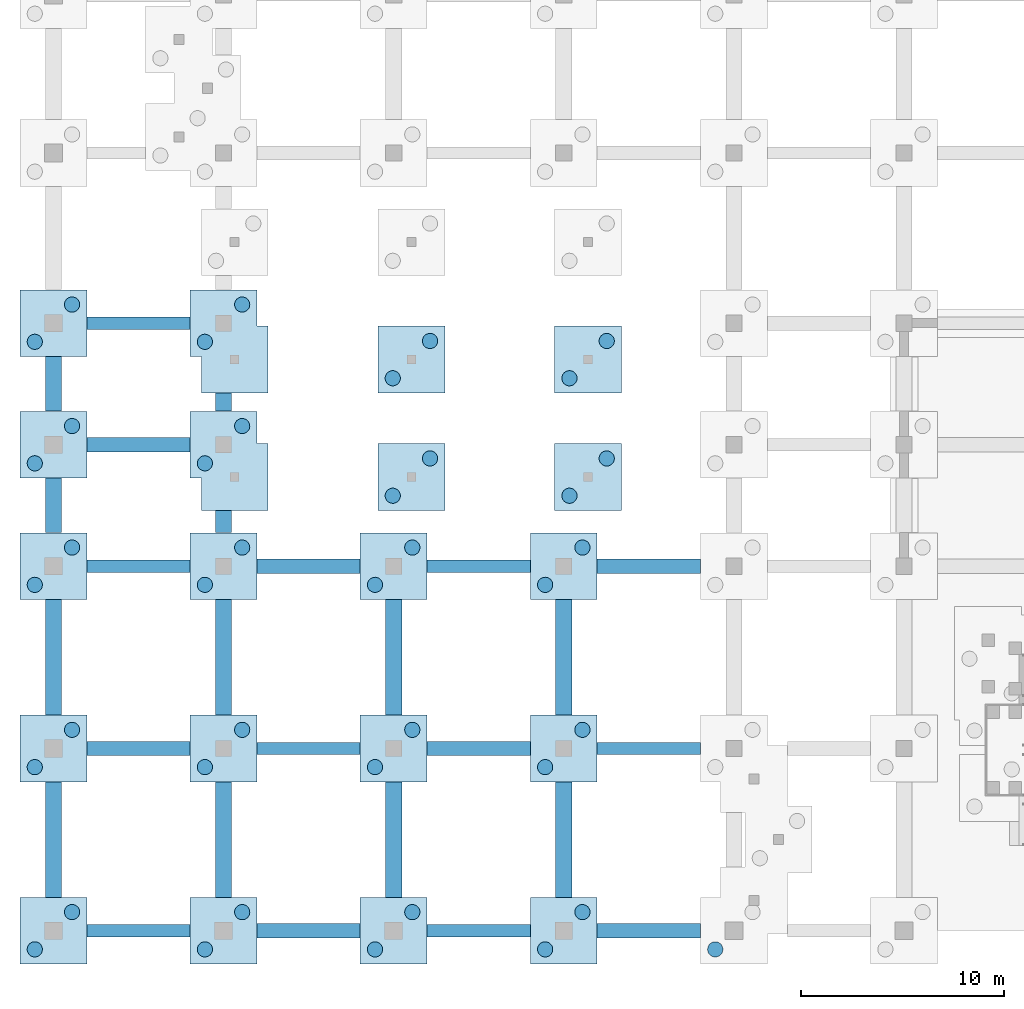
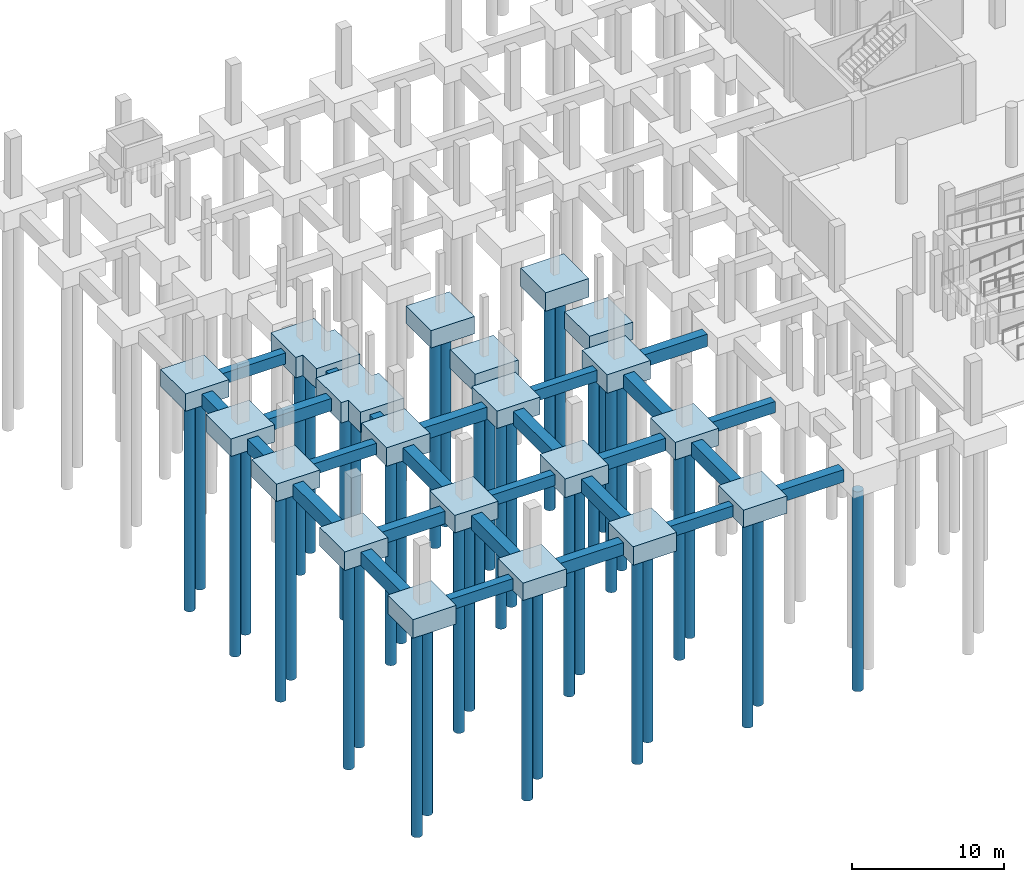
# One storey, part 1 of 42: 46 footings, 41 piles.
"""IFC4 building model written with IfcOpenShell, lengths in metres."""

from ifc_helpers import new_model, si_unit, direction, frame, origin, origin_2d, place, context, subcontext, project, spatial, polyline, rectangle, circle, outline, extrude, material, layer, layer_set, material_profile, profile_set, type_object, element, save


model = new_model("IFC4")

# Units and contexts
model_context = context("Model", 3, precision=1e-05, world=origin(), true_north=direction((0.0, 1.0)))
body_context = subcontext(model_context, "Body", "Model", "MODEL_VIEW")
ifc_project = project(units=[si_unit("LENGTHUNIT", "METRE"), si_unit("AREAUNIT", "SQUARE_METRE"), si_unit("VOLUMEUNIT", "CUBIC_METRE"), si_unit("PLANEANGLEUNIT", "RADIAN"), si_unit("MASSUNIT", "GRAM", prefix="KILO")], contexts=[model_context])

# Site, building, storey
site_placement = place(None, origin())
site = spatial("IfcSite", under=ifc_project, at=site_placement, CompositionType="ELEMENT")
building_placement = place(site_placement, origin())
building = spatial("IfcBuilding", under=site, at=building_placement, Name="Pellamere Symphony Hall", CompositionType="ELEMENT")
storey_placement = place(building_placement, frame((0.0, 0.0, -4.800048828125)))
storey = spatial("IfcBuildingStorey", under=building, at=storey_placement, Name="B1", CompositionType="ELEMENT", Elevation=-4.800048828125)

# Piles
ifc_material_1 = material(Name="Concrete 35 MPa", Category="concrete")
ifc_material_profile_1 = material_profile(ifc_material_1, circle(Radius=0.375, at=origin_2d()), Name="PILE D750")
ifc_profile_set_1 = profile_set([ifc_material_profile_1], Name="Concrete 35 MPa")
pile_type = type_object("IfcPileType", Name="Bored Pile 750mm Concrete 35 MPa", PredefinedType="BORED", material=ifc_profile_set_1)
for number, where, z_axis, x_axis, name in (
    (1, (-0.919921875, -0.919921875, -1.39990234375), (0.0, 0.0, -1.0), (1.0, 0.0, 0.0), "Bored Pile BP-750-P001"),
    (2, (0.919921875, 0.919921875, -1.39990234375), (0.0, 0.0, -1.0), (1.0, 0.0, 0.0), "Bored Pile BP-750-P002"),
):
    element("IfcPile", number, at=place(storey_placement, frame(where, z_axis=z_axis, x_axis=x_axis)), inside=storey, type_object=pile_type, Name=name, PredefinedType="BORED", context=body_context, shape_type="SweptSolid", body=[
        extrude(circle(Radius=0.375, at=origin_2d()), origin(), (0.0, 0.0, 1.0), 16.60009765625),
    ])
for number, where, z_axis, x_axis, name in (
    (3, (7.47998046875, -0.919921875, -1.300048828125), (0.0, 0.0, -1.0), (1.0, 0.0, 0.0), "Bored Pile BP-750-P003"),
    (4, (9.320068359375, 0.919921875, -1.300048828125), (0.0, 0.0, -1.0), (1.0, 0.0, 0.0), "Bored Pile BP-750-P004"),
):
    element("IfcPile", number, at=place(storey_placement, frame(where, z_axis=z_axis, x_axis=x_axis)), inside=storey, type_object=pile_type, Name=name, PredefinedType="BORED", context=body_context, shape_type="SweptSolid", body=[
        extrude(circle(Radius=0.375, at=origin_2d()), origin(), (0.0, 0.0, 1.0), 16.699951171875),
    ])
for number, where, z_axis, x_axis, name in (
    (5, (15.8798828125, -0.919921875, -1.39990234375), (0.0, 0.0, -1.0), (1.0, 0.0, 0.0), "Bored Pile BP-750-P005"),
    (6, (17.719970703125, 0.919921875, -1.39990234375), (0.0, 0.0, -1.0), (1.0, 0.0, 0.0), "Bored Pile BP-750-P006"),
):
    element("IfcPile", number, at=place(storey_placement, frame(where, z_axis=z_axis, x_axis=x_axis)), inside=storey, type_object=pile_type, Name=name, PredefinedType="BORED", context=body_context, shape_type="SweptSolid", body=[
        extrude(circle(Radius=0.375, at=origin_2d()), origin(), (0.0, 0.0, 1.0), 16.60009765625),
    ])
for number, where, z_axis, x_axis, name in (
    (7, (24.280029296875, -0.919921875, -1.300048828125), (0.0, 0.0, -1.0), (1.0, 0.0, 0.0), "Bored Pile BP-750-P007"),
    (8, (26.1201171875, 0.919921875, -1.300048828125), (0.0, 0.0, -1.0), (1.0, 0.0, 0.0), "Bored Pile BP-750-P008"),
):
    element("IfcPile", number, at=place(storey_placement, frame(where, z_axis=z_axis, x_axis=x_axis)), inside=storey, type_object=pile_type, Name=name, PredefinedType="BORED", context=body_context, shape_type="SweptSolid", body=[
        extrude(circle(Radius=0.375, at=origin_2d()), origin(), (0.0, 0.0, 1.0), 16.699951171875),
    ])
pile_placement = place(storey_placement, frame((32.679931640625, -0.919921875, -1.89990234375), z_axis=(0.0, 0.0, -1.0), x_axis=(1.0, 0.0, 0.0)))
element("IfcPile", 9, at=pile_placement, inside=storey, type_object=pile_type, Name="Bored Pile BP-750-P009", PredefinedType="BORED", context=body_context, shape_type="SweptSolid", body=[
    extrude(circle(Radius=0.375, at=origin_2d()), origin(), (0.0, 0.0, 1.0), 16.10009765625),
])
for number, where, z_axis, x_axis, name in (
    (10, (-0.919921875, 8.080078125, -1.39990234375), (0.0, 0.0, -1.0), (1.0, 0.0, 0.0), "Bored Pile BP-750-P029"),
    (11, (0.919921875, 9.919921875, -1.39990234375), (0.0, 0.0, -1.0), (1.0, 0.0, 0.0), "Bored Pile BP-750-P030"),
):
    element("IfcPile", number, at=place(storey_placement, frame(where, z_axis=z_axis, x_axis=x_axis)), inside=storey, type_object=pile_type, Name=name, PredefinedType="BORED", context=body_context, shape_type="SweptSolid", body=[
        extrude(circle(Radius=0.375, at=origin_2d()), origin(), (0.0, 0.0, 1.0), 16.60009765625),
    ])
for number, where, z_axis, x_axis, name in (
    (12, (7.47998046875, 8.080078125, -1.300048828125), (0.0, 0.0, -1.0), (1.0, 0.0, 0.0), "Bored Pile BP-750-P031"),
    (13, (9.320068359375, 9.919921875, -1.300048828125), (0.0, 0.0, -1.0), (1.0, 0.0, 0.0), "Bored Pile BP-750-P032"),
):
    element("IfcPile", number, at=place(storey_placement, frame(where, z_axis=z_axis, x_axis=x_axis)), inside=storey, type_object=pile_type, Name=name, PredefinedType="BORED", context=body_context, shape_type="SweptSolid", body=[
        extrude(circle(Radius=0.375, at=origin_2d()), origin(), (0.0, 0.0, 1.0), 16.699951171875),
    ])
for number, where, z_axis, x_axis, name in (
    (14, (15.8798828125, 8.080078125, -1.39990234375), (0.0, 0.0, -1.0), (1.0, 0.0, 0.0), "Bored Pile BP-750-P033"),
    (15, (17.719970703125, 9.919921875, -1.39990234375), (0.0, 0.0, -1.0), (1.0, 0.0, 0.0), "Bored Pile BP-750-P034"),
):
    element("IfcPile", number, at=place(storey_placement, frame(where, z_axis=z_axis, x_axis=x_axis)), inside=storey, type_object=pile_type, Name=name, PredefinedType="BORED", context=body_context, shape_type="SweptSolid", body=[
        extrude(circle(Radius=0.375, at=origin_2d()), origin(), (0.0, 0.0, 1.0), 16.60009765625),
    ])
for number, where, z_axis, x_axis, name in (
    (16, (24.280029296875, 8.080078125, -1.300048828125), (0.0, 0.0, -1.0), (1.0, 0.0, 0.0), "Bored Pile BP-750-P035"),
    (17, (26.1201171875, 9.919921875, -1.300048828125), (0.0, 0.0, -1.0), (1.0, 0.0, 0.0), "Bored Pile BP-750-P036"),
    (18, (-0.919921875, 17.080078125, -1.300048828125), (0.0, 0.0, -1.0), (1.0, 0.0, 0.0), "Bored Pile BP-750-P051"),
    (19, (0.919921875, 18.919921875, -1.300048828125), (0.0, 0.0, -1.0), (1.0, 0.0, 0.0), "Bored Pile BP-750-P052"),
):
    element("IfcPile", number, at=place(storey_placement, frame(where, z_axis=z_axis, x_axis=x_axis)), inside=storey, type_object=pile_type, Name=name, PredefinedType="BORED", context=body_context, shape_type="SweptSolid", body=[
        extrude(circle(Radius=0.375, at=origin_2d()), origin(), (0.0, 0.0, 1.0), 16.699951171875),
    ])
for number, where, z_axis, x_axis, name in (
    (20, (7.47998046875, 17.080078125, -1.39990234375), (0.0, 0.0, -1.0), (1.0, 0.0, 0.0), "Bored Pile BP-750-P053"),
    (21, (9.320068359375, 18.919921875, -1.39990234375), (0.0, 0.0, -1.0), (1.0, 0.0, 0.0), "Bored Pile BP-750-P054"),
):
    element("IfcPile", number, at=place(storey_placement, frame(where, z_axis=z_axis, x_axis=x_axis)), inside=storey, type_object=pile_type, Name=name, PredefinedType="BORED", context=body_context, shape_type="SweptSolid", body=[
        extrude(circle(Radius=0.375, at=origin_2d()), origin(), (0.0, 0.0, 1.0), 16.60009765625),
    ])
for number, where, z_axis, x_axis, name in (
    (22, (15.8798828125, 17.080078125, -1.300048828125), (0.0, 0.0, -1.0), (1.0, 0.0, 0.0), "Bored Pile BP-750-P055"),
    (23, (17.719970703125, 18.919921875, -1.300048828125), (0.0, 0.0, -1.0), (1.0, 0.0, 0.0), "Bored Pile BP-750-P056"),
):
    element("IfcPile", number, at=place(storey_placement, frame(where, z_axis=z_axis, x_axis=x_axis)), inside=storey, type_object=pile_type, Name=name, PredefinedType="BORED", context=body_context, shape_type="SweptSolid", body=[
        extrude(circle(Radius=0.375, at=origin_2d()), origin(), (0.0, 0.0, 1.0), 16.699951171875),
    ])
for number, where, z_axis, x_axis, name in (
    (24, (24.280029296875, 17.080078125, -1.39990234375), (0.0, 0.0, -1.0), (1.0, 0.0, 0.0), "Bored Pile BP-750-P057"),
    (25, (26.1201171875, 18.919921875, -1.39990234375), (0.0, 0.0, -1.0), (1.0, 0.0, 0.0), "Bored Pile BP-750-P058"),
):
    element("IfcPile", number, at=place(storey_placement, frame(where, z_axis=z_axis, x_axis=x_axis)), inside=storey, type_object=pile_type, Name=name, PredefinedType="BORED", context=body_context, shape_type="SweptSolid", body=[
        extrude(circle(Radius=0.375, at=origin_2d()), origin(), (0.0, 0.0, 1.0), 16.60009765625),
    ])
for number, where, z_axis, x_axis, name in (
    (26, (7.47998046875, 23.080078125, -1.550048828125), (0.0, 0.0, -1.0), (1.0, 0.0, 0.0), "Bored Pile BP-750-P098"),
    (27, (9.320068359375, 24.919921875, -1.550048828125), (0.0, 0.0, -1.0), (1.0, 0.0, 0.0), "Bored Pile BP-750-P099"),
):
    element("IfcPile", number, at=place(storey_placement, frame(where, z_axis=z_axis, x_axis=x_axis)), inside=storey, type_object=pile_type, Name=name, PredefinedType="BORED", context=body_context, shape_type="SweptSolid", body=[
        extrude(circle(Radius=0.375, at=origin_2d()), origin(), (0.0, 0.0, 1.0), 16.449951171875),
    ])
for number, where, z_axis, x_axis, name in (
    (28, (16.7548828125, 21.47998046875, -1.39990234375), (0.0, 0.0, -1.0), (1.0, 0.0, 0.0), "Bored Pile BP-750-P100"),
    (29, (18.594970703125, 23.320068359375, -1.39990234375), (0.0, 0.0, -1.0), (1.0, 0.0, 0.0), "Bored Pile BP-750-P101"),
):
    element("IfcPile", number, at=place(storey_placement, frame(where, z_axis=z_axis, x_axis=x_axis)), inside=storey, type_object=pile_type, Name=name, PredefinedType="BORED", context=body_context, shape_type="SweptSolid", body=[
        extrude(circle(Radius=0.375, at=origin_2d()), origin(), (0.0, 0.0, 1.0), 16.60009765625),
    ])
for number, where, z_axis, x_axis, name in (
    (30, (25.47998046875, 21.47998046875, -1.300048828125), (0.0, 0.0, -1.0), (1.0, 0.0, 0.0), "Bored Pile BP-750-P102"),
    (31, (27.320068359375, 23.320068359375, -1.300048828125), (0.0, 0.0, -1.0), (1.0, 0.0, 0.0), "Bored Pile BP-750-P103"),
    (32, (-0.919921875, 23.080078125, -1.300048828125), (0.0, 0.0, -1.0), (1.0, 0.0, 0.0), "Bored Pile BP-750-P109"),
    (33, (0.919921875, 24.919921875, -1.300048828125), (0.0, 0.0, -1.0), (1.0, 0.0, 0.0), "Bored Pile BP-750-P110"),
):
    element("IfcPile", number, at=place(storey_placement, frame(where, z_axis=z_axis, x_axis=x_axis)), inside=storey, type_object=pile_type, Name=name, PredefinedType="BORED", context=body_context, shape_type="SweptSolid", body=[
        extrude(circle(Radius=0.375, at=origin_2d()), origin(), (0.0, 0.0, 1.0), 16.699951171875),
    ])
for number, where, z_axis, x_axis, name in (
    (34, (7.47998046875, 29.080078125, -1.550048828125), (0.0, 0.0, -1.0), (1.0, 0.0, 0.0), "Bored Pile BP-750-P147"),
    (35, (9.320068359375, 30.919921875, -1.550048828125), (0.0, 0.0, -1.0), (1.0, 0.0, 0.0), "Bored Pile BP-750-P148"),
):
    element("IfcPile", number, at=place(storey_placement, frame(where, z_axis=z_axis, x_axis=x_axis)), inside=storey, type_object=pile_type, Name=name, PredefinedType="BORED", context=body_context, shape_type="SweptSolid", body=[
        extrude(circle(Radius=0.375, at=origin_2d()), origin(), (0.0, 0.0, 1.0), 16.449951171875),
    ])
for number, where, z_axis, x_axis, name in (
    (36, (16.7548828125, 27.280029296875, -1.300048828125), (0.0, 0.0, -1.0), (1.0, 0.0, 0.0), "Bored Pile BP-750-P149"),
    (37, (18.594970703125, 29.1201171875, -1.300048828125), (0.0, 0.0, -1.0), (1.0, 0.0, 0.0), "Bored Pile BP-750-P150"),
):
    element("IfcPile", number, at=place(storey_placement, frame(where, z_axis=z_axis, x_axis=x_axis)), inside=storey, type_object=pile_type, Name=name, PredefinedType="BORED", context=body_context, shape_type="SweptSolid", body=[
        extrude(circle(Radius=0.375, at=origin_2d()), origin(), (0.0, 0.0, 1.0), 16.699951171875),
    ])
for number, where, z_axis, x_axis, name in (
    (38, (25.47998046875, 27.280029296875, -1.39990234375), (0.0, 0.0, -1.0), (1.0, 0.0, 0.0), "Bored Pile BP-750-P151"),
    (39, (27.320068359375, 29.1201171875, -1.39990234375), (0.0, 0.0, -1.0), (1.0, 0.0, 0.0), "Bored Pile BP-750-P152"),
):
    element("IfcPile", number, at=place(storey_placement, frame(where, z_axis=z_axis, x_axis=x_axis)), inside=storey, type_object=pile_type, Name=name, PredefinedType="BORED", context=body_context, shape_type="SweptSolid", body=[
        extrude(circle(Radius=0.375, at=origin_2d()), origin(), (0.0, 0.0, 1.0), 16.60009765625),
    ])
for number, where, z_axis, x_axis, name in (
    (40, (-0.919921875, 29.080078125, -1.300048828125), (0.0, 0.0, -1.0), (1.0, 0.0, 0.0), "Bored Pile BP-750-P153"),
    (41, (0.919921875, 30.919921875, -1.300048828125), (0.0, 0.0, -1.0), (1.0, 0.0, 0.0), "Bored Pile BP-750-P154"),
):
    element("IfcPile", number, at=place(storey_placement, frame(where, z_axis=z_axis, x_axis=x_axis)), inside=storey, type_object=pile_type, Name=name, PredefinedType="BORED", context=body_context, shape_type="SweptSolid", body=[
        extrude(circle(Radius=0.375, at=origin_2d()), origin(), (0.0, 0.0, 1.0), 16.699951171875),
    ])

# Footings
ifc_material_2 = material(Name="Concrete 40 MPa", Category="concrete")
ifc_material_profile_2 = material_profile(ifc_material_2, rectangle(XDim=0.60009765625, YDim=0.89990234375, at=origin_2d()), Name="RC 600x900")
ifc_profile_set_2 = profile_set([ifc_material_profile_2], Name="Concrete 40 MPa")
footing_type_1 = type_object("IfcFootingType", Name="Foundation FB-01 600x900", PredefinedType="FOOTING_BEAM", material=ifc_profile_set_2)
footing_1_placement = place(storey_placement, frame((1.652099609375, 0.0, -0.89990234375), z_axis=(1.0, 0.0, 0.0), x_axis=(0.0, 1.0, 0.0)))
element("IfcFooting", 42, at=footing_1_placement, inside=storey, type_object=footing_type_1, Name="Foundation Beam FB-01-056", PredefinedType="FOOTING_BEAM", context=body_context, shape_type="SweptSolid", body=[
    extrude(rectangle(XDim=0.60009765625, YDim=0.89990234375, at=origin_2d()), origin(), (0.0, 0.0, 1.0), 5.095947265625),
])
footing_2_placement = place(storey_placement, frame((18.451904296875, 0.0, -0.89990234375), z_axis=(1.0, 0.0, 0.0), x_axis=(0.0, 1.0, 0.0)))
element("IfcFooting", 43, at=footing_2_placement, inside=storey, type_object=footing_type_1, Name="Foundation Beam FB-01-058", PredefinedType="FOOTING_BEAM", context=body_context, shape_type="SweptSolid", body=[
    extrude(rectangle(XDim=0.60009765625, YDim=0.89990234375, at=origin_2d()), origin(), (0.0, 0.0, 1.0), 5.09619140625),
])
for number, where, z_axis, x_axis, name in (
    (44, (10.052001953125, 9.0, -0.89990234375), (1.0, 0.0, 0.0), (0.0, 1.0, 0.0), "Foundation Beam FB-01-062"),
    (45, (26.85205078125, 9.0, -0.89990234375), (1.0, 0.0, 0.0), (0.0, 1.0, 0.0), "Foundation Beam FB-01-064"),
    (46, (1.652099609375, 18.0, -0.89990234375), (1.0, 0.0, 0.0), (0.0, 1.0, 0.0), "Foundation Beam FB-01-066"),
):
    element("IfcFooting", number, at=place(storey_placement, frame(where, z_axis=z_axis, x_axis=x_axis)), inside=storey, type_object=footing_type_1, Name=name, PredefinedType="FOOTING_BEAM", context=body_context, shape_type="SweptSolid", body=[
        extrude(rectangle(XDim=0.60009765625, YDim=0.89990234375, at=origin_2d()), origin(), (0.0, 0.0, 1.0), 5.095947265625),
    ])
footing_3_placement = place(storey_placement, frame((18.451904296875, 18.0, -0.89990234375), z_axis=(1.0, 0.0, 0.0), x_axis=(0.0, 1.0, 0.0)))
element("IfcFooting", 47, at=footing_3_placement, inside=storey, type_object=footing_type_1, Name="Foundation Beam FB-01-068", PredefinedType="FOOTING_BEAM", context=body_context, shape_type="SweptSolid", body=[
    extrude(rectangle(XDim=0.60009765625, YDim=0.89990234375, at=origin_2d()), origin(), (0.0, 0.0, 1.0), 5.09619140625),
])
footing_4_placement = place(storey_placement, frame((1.652099609375, 30.0, -0.89990234375), z_axis=(1.0, 0.0, 0.0), x_axis=(0.0, 1.0, 0.0)))
element("IfcFooting", 48, at=footing_4_placement, inside=storey, type_object=footing_type_1, Name="Foundation Beam FB-01-104", PredefinedType="FOOTING_BEAM", context=body_context, shape_type="SweptSolid", body=[
    extrude(rectangle(XDim=0.60009765625, YDim=0.89990234375, at=origin_2d()), origin(), (0.0, 0.0, 1.0), 5.095947265625),
])
ifc_material_profile_3 = material_profile(ifc_material_2, rectangle(XDim=0.699951171875, YDim=1.0, at=origin_2d()), Name="RC 700x1000")
ifc_profile_set_3 = profile_set([ifc_material_profile_3], Name="Concrete 40 MPa")
footing_type_2 = type_object("IfcFootingType", Name="Foundation FB-02 700x1000", PredefinedType="FOOTING_BEAM", material=ifc_profile_set_3)
for number, where, z_axis, x_axis, name in (
    (49, (10.052001953125, 0.0, -0.949951171875), (1.0, 0.0, 0.0), (0.0, 1.0, 0.0), "Foundation Beam FB-02-057"),
    (50, (26.85205078125, 0.0, -0.949951171875), (1.0, 0.0, 0.0), (0.0, 1.0, 0.0), "Foundation Beam FB-02-059"),
    (51, (1.652099609375, 9.0, -0.949951171875), (1.0, 0.0, 0.0), (0.0, 1.0, 0.0), "Foundation Beam FB-02-061"),
):
    element("IfcFooting", number, at=place(storey_placement, frame(where, z_axis=z_axis, x_axis=x_axis)), inside=storey, type_object=footing_type_2, Name=name, PredefinedType="FOOTING_BEAM", context=body_context, shape_type="SweptSolid", body=[
        extrude(rectangle(XDim=0.699951171875, YDim=1.0, at=origin_2d()), origin(), (0.0, 0.0, 1.0), 5.095947265625),
    ])
footing_5_placement = place(storey_placement, frame((18.451904296875, 9.0, -0.949951171875), z_axis=(1.0, 0.0, 0.0), x_axis=(0.0, 1.0, 0.0)))
element("IfcFooting", 52, at=footing_5_placement, inside=storey, type_object=footing_type_2, Name="Foundation Beam FB-02-063", PredefinedType="FOOTING_BEAM", context=body_context, shape_type="SweptSolid", body=[
    extrude(rectangle(XDim=0.699951171875, YDim=1.0, at=origin_2d()), origin(), (0.0, 0.0, 1.0), 5.09619140625),
])
for number, where, z_axis, x_axis, name in (
    (53, (10.052001953125, 18.0, -0.949951171875), (1.0, 0.0, 0.0), (0.0, 1.0, 0.0), "Foundation Beam FB-02-067"),
    (54, (26.85205078125, 18.0, -0.949951171875), (1.0, 0.0, 0.0), (0.0, 1.0, 0.0), "Foundation Beam FB-02-069"),
    (55, (1.652099609375, 24.0, -0.949951171875), (1.0, 0.0, 0.0), (0.0, 1.0, 0.0), "Foundation Beam FB-02-087"),
):
    element("IfcFooting", number, at=place(storey_placement, frame(where, z_axis=z_axis, x_axis=x_axis)), inside=storey, type_object=footing_type_2, Name=name, PredefinedType="FOOTING_BEAM", context=body_context, shape_type="SweptSolid", body=[
        extrude(rectangle(XDim=0.699951171875, YDim=1.0, at=origin_2d()), origin(), (0.0, 0.0, 1.0), 5.095947265625),
    ])
ifc_material_profile_4 = material_profile(ifc_material_2, rectangle(XDim=0.800048828125, YDim=1.10009765625, at=origin_2d()), Name="RC 800x1100")
ifc_profile_set_4 = profile_set([ifc_material_profile_4], Name="Concrete 40 MPa")
footing_type_3 = type_object("IfcFootingType", Name="Foundation FB-03 800x1100", PredefinedType="FOOTING_BEAM", material=ifc_profile_set_4)
for number, where, z_axis, x_axis, name in (
    (56, (0.0, 1.652099609375, -1.0), (0.0, 1.0, 0.0), (-1.0, 0.0, 0.0), "Foundation Beam FB-03-230"),
    (57, (0.0, 10.652099609375, -1.0), (0.0, 1.0, 0.0), (-1.0, 0.0, 0.0), "Foundation Beam FB-03-231"),
):
    element("IfcFooting", number, at=place(storey_placement, frame(where, z_axis=z_axis, x_axis=x_axis)), inside=storey, type_object=footing_type_3, Name=name, PredefinedType="FOOTING_BEAM", context=body_context, shape_type="SweptSolid", body=[
        extrude(rectangle(XDim=0.800048828125, YDim=1.10009765625, at=origin_2d()), origin(), (0.0, 0.0, 1.0), 5.69580078125),
    ])
for number, where, z_axis, x_axis, name in (
    (58, (0.0, 19.652099609375, -1.0), (0.0, 1.0, 0.0), (-1.0, 0.0, 0.0), "Foundation Beam FB-03-232"),
    (59, (0.0, 25.652099609375, -1.0), (0.0, 1.0, 0.0), (-1.0, 0.0, 0.0), "Foundation Beam FB-03-233"),
):
    element("IfcFooting", number, at=place(storey_placement, frame(where, z_axis=z_axis, x_axis=x_axis)), inside=storey, type_object=footing_type_3, Name=name, PredefinedType="FOOTING_BEAM", context=body_context, shape_type="SweptSolid", body=[
        extrude(rectangle(XDim=0.800048828125, YDim=1.10009765625, at=origin_2d()), origin(), (0.0, 0.0, 1.0), 2.69580078125),
    ])
for number, where, z_axis, x_axis, name in (
    (60, (8.39990234375, 1.652099609375, -1.0), (0.0, 1.0, 0.0), (-1.0, 0.0, 0.0), "Foundation Beam FB-03-237"),
    (61, (8.39990234375, 10.652099609375, -1.0), (0.0, 1.0, 0.0), (-1.0, 0.0, 0.0), "Foundation Beam FB-03-238"),
):
    element("IfcFooting", number, at=place(storey_placement, frame(where, z_axis=z_axis, x_axis=x_axis)), inside=storey, type_object=footing_type_3, Name=name, PredefinedType="FOOTING_BEAM", context=body_context, shape_type="SweptSolid", body=[
        extrude(rectangle(XDim=0.800048828125, YDim=1.10009765625, at=origin_2d()), origin(), (0.0, 0.0, 1.0), 5.69580078125),
    ])
footing_6_placement = place(storey_placement, frame((8.39990234375, 19.652099609375, -1.0), z_axis=(0.0, 1.0, 0.0), x_axis=(-1.0, 0.0, 0.0)))
element("IfcFooting", 62, at=footing_6_placement, inside=storey, type_object=footing_type_3, Name="Foundation Beam FB-03-239", PredefinedType="FOOTING_BEAM", context=body_context, shape_type="SweptSolid", body=[
    extrude(rectangle(XDim=0.800048828125, YDim=1.10009765625, at=origin_2d()), origin(), (0.0, 0.0, 1.0), 1.095947265625),
])
footing_7_placement = place(storey_placement, frame((8.39990234375, 25.652099609375, -1.0), z_axis=(0.0, 1.0, 0.0), x_axis=(-1.0, 0.0, 0.0)))
element("IfcFooting", 63, at=footing_7_placement, inside=storey, type_object=footing_type_3, Name="Foundation Beam FB-03-240", PredefinedType="FOOTING_BEAM", context=body_context, shape_type="SweptSolid", body=[
    extrude(rectangle(XDim=0.800048828125, YDim=1.10009765625, at=origin_2d()), origin(), (0.0, 0.0, 1.0), 0.89599609375),
])
for number, where, z_axis, x_axis, name in (
    (64, (16.800048828125, 1.652099609375, -1.0), (0.0, 1.0, 0.0), (-1.0, 0.0, 0.0), "Foundation Beam FB-03-244"),
    (65, (16.800048828125, 10.652099609375, -1.0), (0.0, 1.0, 0.0), (-1.0, 0.0, 0.0), "Foundation Beam FB-03-245"),
    (66, (25.199951171875, 1.652099609375, -1.0), (0.0, 1.0, 0.0), (-1.0, 0.0, 0.0), "Foundation Beam FB-03-248"),
    (67, (25.199951171875, 10.652099609375, -1.0), (0.0, 1.0, 0.0), (-1.0, 0.0, 0.0), "Foundation Beam FB-03-249"),
):
    element("IfcFooting", number, at=place(storey_placement, frame(where, z_axis=z_axis, x_axis=x_axis)), inside=storey, type_object=footing_type_3, Name=name, PredefinedType="FOOTING_BEAM", context=body_context, shape_type="SweptSolid", body=[
        extrude(rectangle(XDim=0.800048828125, YDim=1.10009765625, at=origin_2d()), origin(), (0.0, 0.0, 1.0), 5.69580078125),
    ])
ifc_layer_1 = layer(ifc_material_2, 1.39990234375, Name="Concrete 40 MPa")
ifc_layer_set_1 = layer_set([ifc_layer_1], Name="Concrete 40 MPa")
footing_type_4 = type_object("IfcFootingType", Name="Pile Cap PC-02 3300x3300x1400", PredefinedType="PILE_CAP", material=ifc_layer_set_1)
footing_8_placement = place(storey_placement, frame((0.0, 0.0, -1.39990234375)))
element("IfcFooting", 68, at=footing_8_placement, inside=storey, type_object=footing_type_4, Name="Pile Cap PC-02-002", PredefinedType="PILE_CAP", context=body_context, shape_type="SweptSolid", body=[
    extrude(outline(polyline([(6.75, -1.64990234375), (6.75, 1.64990234375), (10.050048828125, 1.64990234375), (10.050048828125, -1.64990234375), (6.75, -1.64990234375)])), origin(), (0.0, 0.0, 1.0), 1.39990234375),
])
footing_9_placement = place(storey_placement, frame((0.0, 0.0, -1.39990234375)))
element("IfcFooting", 69, at=footing_9_placement, inside=storey, type_object=footing_type_4, Name="Pile Cap PC-02-004", PredefinedType="PILE_CAP", context=body_context, shape_type="SweptSolid", body=[
    extrude(outline(polyline([(26.85009765625, -1.64990234375), (23.550048828125, -1.64990234375), (23.550048828125, 1.64990234375), (26.85009765625, 1.64990234375), (26.85009765625, -1.64990234375)])), origin(), (0.0, 0.0, 1.0), 1.39990234375),
])
footing_10_placement = place(storey_placement, frame((0.0, 0.0, -1.39990234375)))
element("IfcFooting", 70, at=footing_10_placement, inside=storey, type_object=footing_type_4, Name="Pile Cap PC-02-014", PredefinedType="PILE_CAP", context=body_context, shape_type="SweptSolid", body=[
    extrude(outline(polyline([(6.75, 7.35009765625), (6.75, 10.64990234375), (10.050048828125, 10.64990234375), (10.050048828125, 7.35009765625), (6.75, 7.35009765625)])), origin(), (0.0, 0.0, 1.0), 1.39990234375),
])
footing_11_placement = place(storey_placement, frame((0.0, 0.0, -1.39990234375)))
element("IfcFooting", 71, at=footing_11_placement, inside=storey, type_object=footing_type_4, Name="Pile Cap PC-02-016", PredefinedType="PILE_CAP", context=body_context, shape_type="SweptSolid", body=[
    extrude(outline(polyline([(26.85009765625, 7.35009765625), (23.550048828125, 7.35009765625), (23.550048828125, 10.64990234375), (26.85009765625, 10.64990234375), (26.85009765625, 7.35009765625)])), origin(), (0.0, 0.0, 1.0), 1.39990234375),
])
footing_12_placement = place(storey_placement, frame((0.0, 0.0, -1.39990234375)))
element("IfcFooting", 72, at=footing_12_placement, inside=storey, type_object=footing_type_4, Name="Pile Cap PC-02-022", PredefinedType="PILE_CAP", context=body_context, shape_type="SweptSolid", body=[
    extrude(outline(polyline([(-1.64990234375, 16.35009765625), (-1.64990234375, 19.64990234375), (1.64990234375, 19.64990234375), (1.64990234375, 16.35009765625), (-1.64990234375, 16.35009765625)])), origin(), (0.0, 0.0, 1.0), 1.39990234375),
])
footing_13_placement = place(storey_placement, frame((0.0, 0.0, -1.39990234375)))
element("IfcFooting", 73, at=footing_13_placement, inside=storey, type_object=footing_type_4, Name="Pile Cap PC-02-024", PredefinedType="PILE_CAP", context=body_context, shape_type="SweptSolid", body=[
    extrude(outline(polyline([(15.14990234375, 16.35009765625), (15.14990234375, 19.64990234375), (18.449951171875, 19.64990234375), (18.449951171875, 16.35009765625), (15.14990234375, 16.35009765625)])), origin(), (0.0, 0.0, 1.0), 1.39990234375),
])
footing_14_placement = place(storey_placement, frame((0.0, 0.0, -1.39990234375)))
element("IfcFooting", 74, at=footing_14_placement, inside=storey, type_object=footing_type_4, Name="Pile Cap PC-02-046", PredefinedType="PILE_CAP", context=body_context, shape_type="SweptSolid", body=[
    extrude(outline(polyline([(28.050048828125, 20.75), (24.75, 20.75), (24.75, 24.050048828125), (28.050048828125, 24.050048828125), (28.050048828125, 20.75)])), origin(), (0.0, 0.0, 1.0), 1.39990234375),
])
footing_15_placement = place(storey_placement, frame((0.0, 0.0, -1.39990234375)))
element("IfcFooting", 75, at=footing_15_placement, inside=storey, type_object=footing_type_4, Name="Pile Cap PC-02-048", PredefinedType="PILE_CAP", context=body_context, shape_type="SweptSolid", body=[
    extrude(outline(polyline([(-1.64990234375, 22.35009765625), (-1.64990234375, 25.64990234375), (1.64990234375, 25.64990234375), (1.64990234375, 22.35009765625), (-1.64990234375, 22.35009765625)])), origin(), (0.0, 0.0, 1.0), 1.39990234375),
])
footing_16_placement = place(storey_placement, frame((0.0, 0.0, -1.39990234375)))
element("IfcFooting", 76, at=footing_16_placement, inside=storey, type_object=footing_type_4, Name="Pile Cap PC-02-066", PredefinedType="PILE_CAP", context=body_context, shape_type="SweptSolid", body=[
    extrude(outline(polyline([(19.324951171875, 26.550048828125), (16.02490234375, 26.550048828125), (16.02490234375, 29.85009765625), (19.324951171875, 29.85009765625), (19.324951171875, 26.550048828125)])), origin(), (0.0, 0.0, 1.0), 1.39990234375),
])
footing_17_placement = place(storey_placement, frame((0.0, 0.0, -1.39990234375)))
element("IfcFooting", 77, at=footing_17_placement, inside=storey, type_object=footing_type_4, Name="Pile Cap PC-02-068", PredefinedType="PILE_CAP", context=body_context, shape_type="SweptSolid", body=[
    extrude(outline(polyline([(-1.64990234375, 28.35009765625), (-1.64990234375, 31.64990234375), (1.64990234375, 31.64990234375), (1.64990234375, 28.35009765625), (-1.64990234375, 28.35009765625)])), origin(), (0.0, 0.0, 1.0), 1.39990234375),
])
ifc_layer_2 = layer(ifc_material_2, 1.5, Name="Concrete 40 MPa")
ifc_layer_set_2 = layer_set([ifc_layer_2], Name="Concrete 40 MPa")
footing_type_5 = type_object("IfcFootingType", Name="Pile Cap PC-03 3300x3300x1500", PredefinedType="PILE_CAP", material=ifc_layer_set_2)
footing_18_placement = place(storey_placement, frame((0.0, 0.0, -1.5)))
element("IfcFooting", 78, at=footing_18_placement, inside=storey, type_object=footing_type_5, Name="Pile Cap PC-03-001", PredefinedType="PILE_CAP", context=body_context, shape_type="SweptSolid", body=[
    extrude(outline(polyline([(-1.64990234375, -1.64990234375), (-1.64990234375, 1.64990234375), (1.64990234375, 1.64990234375), (1.64990234375, -1.64990234375), (-1.64990234375, -1.64990234375)])), origin(), (0.0, 0.0, 1.0), 1.5),
])
footing_19_placement = place(storey_placement, frame((0.0, 0.0, -1.5)))
element("IfcFooting", 79, at=footing_19_placement, inside=storey, type_object=footing_type_5, Name="Pile Cap PC-03-003", PredefinedType="PILE_CAP", context=body_context, shape_type="SweptSolid", body=[
    extrude(outline(polyline([(18.449951171875, -1.64990234375), (15.14990234375, -1.64990234375), (15.14990234375, 1.64990234375), (18.449951171875, 1.64990234375), (18.449951171875, -1.64990234375)])), origin(), (0.0, 0.0, 1.0), 1.5),
])
footing_20_placement = place(storey_placement, frame((0.0, 0.0, -1.5)))
element("IfcFooting", 80, at=footing_20_placement, inside=storey, type_object=footing_type_5, Name="Pile Cap PC-03-013", PredefinedType="PILE_CAP", context=body_context, shape_type="SweptSolid", body=[
    extrude(outline(polyline([(-1.64990234375, 7.35009765625), (-1.64990234375, 10.64990234375), (1.64990234375, 10.64990234375), (1.64990234375, 7.35009765625), (-1.64990234375, 7.35009765625)])), origin(), (0.0, 0.0, 1.0), 1.5),
])
footing_21_placement = place(storey_placement, frame((0.0, 0.0, -1.5)))
element("IfcFooting", 81, at=footing_21_placement, inside=storey, type_object=footing_type_5, Name="Pile Cap PC-03-015", PredefinedType="PILE_CAP", context=body_context, shape_type="SweptSolid", body=[
    extrude(outline(polyline([(15.14990234375, 7.35009765625), (15.14990234375, 10.64990234375), (18.449951171875, 10.64990234375), (18.449951171875, 7.35009765625), (15.14990234375, 7.35009765625)])), origin(), (0.0, 0.0, 1.0), 1.5),
])
footing_22_placement = place(storey_placement, frame((0.0, 0.0, -1.5)))
element("IfcFooting", 82, at=footing_22_placement, inside=storey, type_object=footing_type_5, Name="Pile Cap PC-03-023", PredefinedType="PILE_CAP", context=body_context, shape_type="SweptSolid", body=[
    extrude(outline(polyline([(10.050048828125, 16.35009765625), (6.75, 16.35009765625), (6.75, 19.64990234375), (10.050048828125, 19.64990234375), (10.050048828125, 16.35009765625)])), origin(), (0.0, 0.0, 1.0), 1.5),
])
footing_23_placement = place(storey_placement, frame((0.0, 0.0, -1.5)))
element("IfcFooting", 83, at=footing_23_placement, inside=storey, type_object=footing_type_5, Name="Pile Cap PC-03-025", PredefinedType="PILE_CAP", context=body_context, shape_type="SweptSolid", body=[
    extrude(outline(polyline([(26.85009765625, 16.35009765625), (23.550048828125, 16.35009765625), (23.550048828125, 19.64990234375), (26.85009765625, 19.64990234375), (26.85009765625, 16.35009765625)])), origin(), (0.0, 0.0, 1.0), 1.5),
])
footing_24_placement = place(storey_placement, frame((0.0, 0.0, -1.5)))
element("IfcFooting", 84, at=footing_24_placement, inside=storey, type_object=footing_type_5, Name="Pile Cap PC-03-045", PredefinedType="PILE_CAP", context=body_context, shape_type="SweptSolid", body=[
    extrude(outline(polyline([(16.02490234375, 20.75), (16.02490234375, 24.050048828125), (19.324951171875, 24.050048828125), (19.324951171875, 20.75), (16.02490234375, 20.75)])), origin(), (0.0, 0.0, 1.0), 1.5),
])
footing_25_placement = place(storey_placement, frame((0.0, 0.0, -1.5)))
element("IfcFooting", 85, at=footing_25_placement, inside=storey, type_object=footing_type_5, Name="Pile Cap PC-03-067", PredefinedType="PILE_CAP", context=body_context, shape_type="SweptSolid", body=[
    extrude(outline(polyline([(28.050048828125, 26.550048828125), (24.75, 26.550048828125), (24.75, 29.85009765625), (28.050048828125, 29.85009765625), (28.050048828125, 26.550048828125)])), origin(), (0.0, 0.0, 1.0), 1.5),
])
ifc_layer_3 = layer(ifc_material_2, 1.64990234375, Name="Concrete 40 MPa")
ifc_layer_set_3 = layer_set([ifc_layer_3], Name="Concrete 40 MPa")
footing_type_6 = type_object("IfcFootingType", Name="Pile Cap PC-05 4400x3300x1650", PredefinedType="PILE_CAP", material=ifc_layer_set_3)
footing_26_placement = place(storey_placement, frame((0.0, 0.0, -1.64990234375)))
element("IfcFooting", 86, at=footing_26_placement, inside=storey, type_object=footing_type_6, Name="Pile Cap PC-05-044", PredefinedType="PILE_CAP", context=body_context, shape_type="SweptSolid", body=[
    extrude(outline(polyline([(10.050048828125, 25.64990234375), (10.050048828125, 24.050048828125), (10.60009765625, 24.050048828125), (10.60009765625, 20.75), (7.300048828125, 20.75), (7.300048828125, 22.35009765625), (6.75, 22.35009765625), (6.75, 25.64990234375), (10.050048828125, 25.64990234375)])), origin(), (0.0, 0.0, 1.0), 1.64990234375),
])
footing_27_placement = place(storey_placement, frame((0.0, 0.0, -1.64990234375)))
element("IfcFooting", 87, at=footing_27_placement, inside=storey, type_object=footing_type_6, Name="Pile Cap PC-05-065", PredefinedType="PILE_CAP", context=body_context, shape_type="SweptSolid", body=[
    extrude(outline(polyline([(10.050048828125, 31.64990234375), (10.050048828125, 29.85009765625), (10.60009765625, 29.85009765625), (10.60009765625, 26.550048828125), (7.300048828125, 26.550048828125), (7.300048828125, 28.35009765625), (6.75, 28.35009765625), (6.75, 31.64990234375), (10.050048828125, 31.64990234375)])), origin(), (0.0, 0.0, 1.0), 1.64990234375),
])

save(model, "model.ifc")
